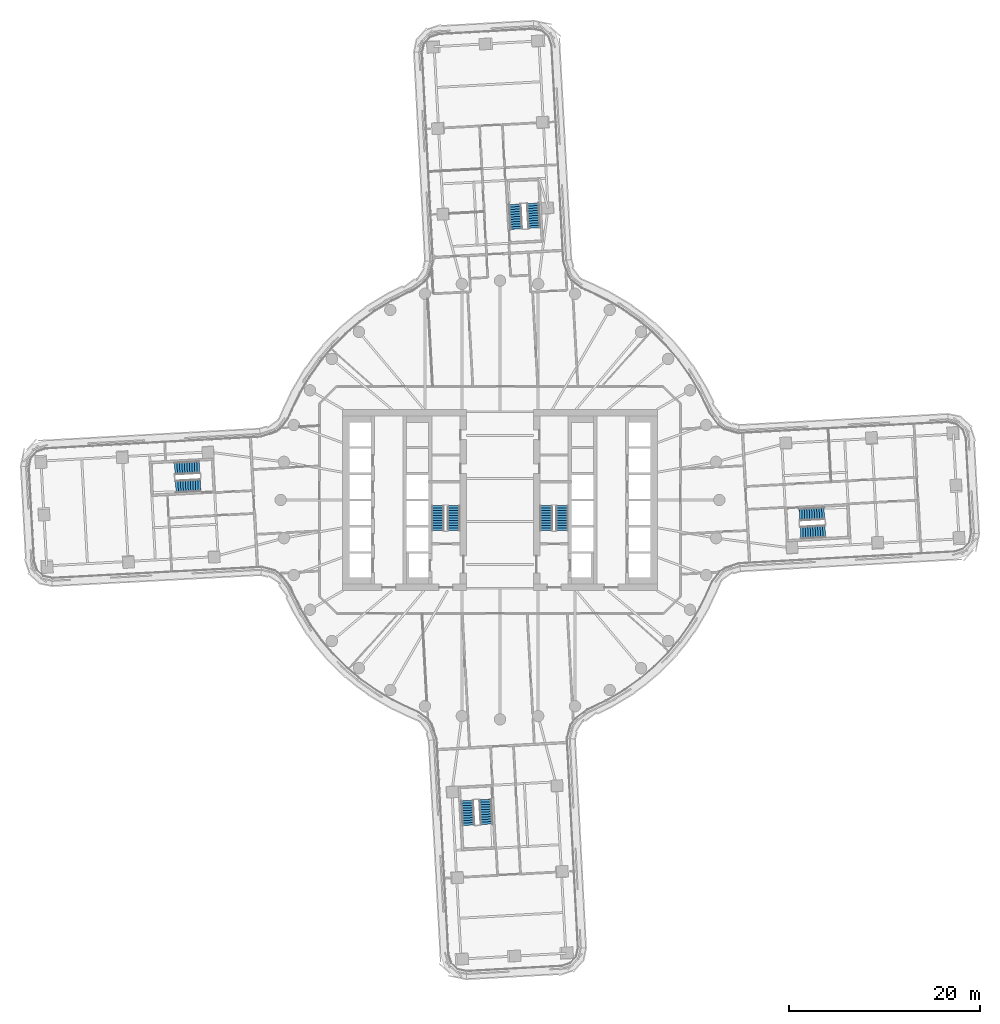
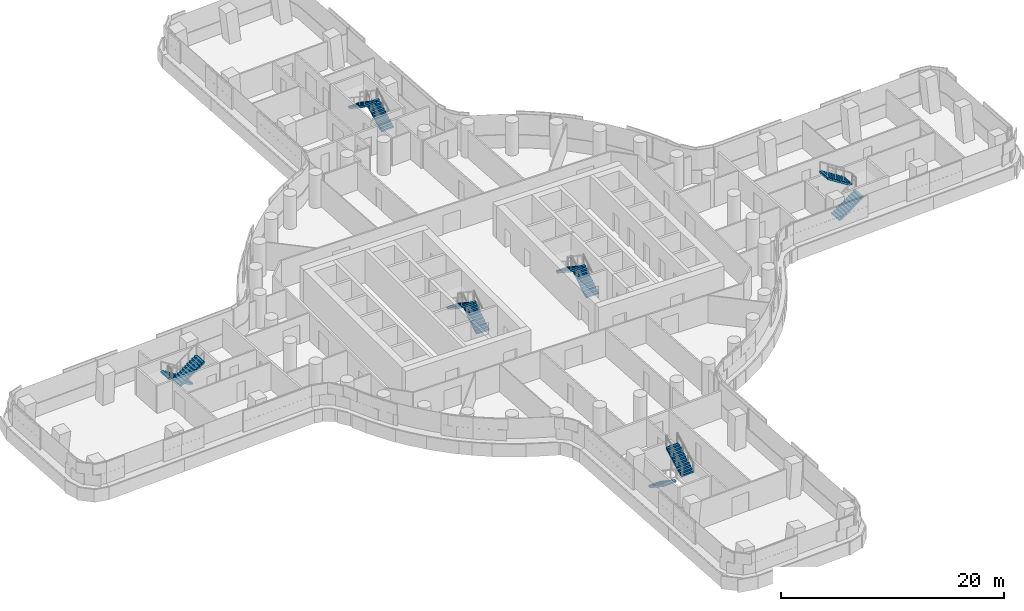
# One storey, part 24 of 31: 12 stair flights, 6 elements without a shape of their own.
"""IFC4 building model written with IfcOpenShell, lengths in metres."""

import ifcopenshell
import ifcopenshell.guid

model = None  # the IFC model being written
_history = None  # IfcOwnerHistory: only IFC2X3 demands one
_inside = {}  # id of a spatial element -> (the spatial element, [elements in it])
_under = {}  # id of a project, library or spatial element -> (it, [spatial elements below it])
_declared = {}  # id of a project -> (the project, [libraries it declares])
_typed = {}  # id of a type object -> (the type object, [elements of that type])
_made_of = {}  # id of a material, layer set ... -> (it, [elements and type objects made of it])


def new_model(schema):
    """Start an empty IFC model of exactly this schema.

    Asked for "IFC4X3", IfcOpenShell would pick the latest addendum, in which some entities
    have other attributes; the version numbers below select the first issue.
    IFC2X3 requires an IfcOwnerHistory on every rooted entity: one is made here for all.
    """
    global model, _history
    if schema == "IFC4X3":
        model = ifcopenshell.file(schema_version=(4, 3, 0, 0))
    else:
        model = ifcopenshell.file(schema=schema)
    _inside.clear()
    _under.clear()
    _declared.clear()
    _typed.clear()
    _made_of.clear()
    _history = None
    if model.schema == "IFC2X3":
        org = make("IfcOrganization", Name="unknown")
        user = make(
            "IfcPersonAndOrganization",
            ThePerson=make("IfcPerson", FamilyName="unknown"),
            TheOrganization=org,
        )
        app = make(
            "IfcApplication",
            ApplicationDeveloper=org,
            Version="unknown",
            ApplicationFullName="unknown",
            ApplicationIdentifier="unknown",
        )
        _history = make(
            "IfcOwnerHistory",
            OwningUser=user,
            OwningApplication=app,
            ChangeAction="ADDED",
            CreationDate=0,
        )
    return model


def make(cls, **values):
    """One entity of the class cls with the attributes given. An attribute that is None is left unset."""
    return model.create_entity(
        cls, **{name: value for name, value in values.items() if value is not None}
    )


def rooted(cls, **values):
    """An entity with a GlobalId (a new one), such as an element, a storey or a relation."""
    return make(cls, GlobalId=ifcopenshell.guid.new(), OwnerHistory=_history, **values)


def si_unit(unit_type, name, prefix=None):
    """IfcSIUnit, for example si_unit("LENGTHUNIT", "METRE", prefix="MILLI")."""
    return make("IfcSIUnit", UnitType=unit_type, Prefix=prefix, Name=name)


def assignment(units):
    """IfcUnitAssignment: the units of a project."""
    return None if units is None else make("IfcUnitAssignment", Units=units)


def point(xyz):
    """IfcCartesianPoint."""
    return None if xyz is None else make("IfcCartesianPoint", Coordinates=xyz)


def direction(xyz):
    """IfcDirection."""
    return None if xyz is None else make("IfcDirection", DirectionRatios=xyz)


def frame(location, z_axis=None, x_axis=None):
    """IfcAxis2Placement3D, a coordinate frame: its origin and axes. An axis left out is left unset."""
    return make(
        "IfcAxis2Placement3D",
        Location=point(location),
        Axis=direction(z_axis),
        RefDirection=direction(x_axis),
    )


def origin():
    """The frame at (0, 0, 0) with its axes left unset."""
    return frame((0.0, 0.0, 0.0))


def place(relative_to, where):
    """IfcLocalPlacement: puts the frame where relative to a parent placement (None: the world)."""
    return make(
        "IfcLocalPlacement", PlacementRelTo=relative_to, RelativePlacement=where
    )


def context(
    kind, dimensions, precision=None, world=None, true_north=None, identifier=None
):
    """IfcGeometricRepresentationContext, for example the 3D "Model" context."""
    return make(
        "IfcGeometricRepresentationContext",
        ContextIdentifier=identifier,
        ContextType=kind,
        CoordinateSpaceDimension=dimensions,
        Precision=precision,
        WorldCoordinateSystem=world,
        TrueNorth=true_north,
    )


def subcontext(parent, identifier, kind, view, scale=None):
    """IfcGeometricRepresentationSubContext, for example "Body" below "Model"."""
    return make(
        "IfcGeometricRepresentationSubContext",
        ContextIdentifier=identifier,
        ContextType=kind,
        ParentContext=parent,
        TargetScale=scale,
        TargetView=view,
    )


def project(units=None, contexts=None):
    """IfcProject with its units and contexts."""
    return rooted(
        "IfcProject",
        Name="project",
        RepresentationContexts=contexts,
        UnitsInContext=assignment(units),
    )


def spatial(cls, under=None, at=None, **own):
    """A site, building, storey or space (cls), placed at a placement, below another one or the project."""
    s = rooted(cls, ObjectPlacement=at, **own)
    if under is not None:
        _under.setdefault(under.id(), (under, []))[1].append(s)
    return s


def polyline(points):
    """IfcPolyline through the points."""
    return make("IfcPolyline", Points=[point(p) for p in points])


def outline(outer, holes=None, kind="AREA"):
    """IfcArbitraryClosedProfileDef: a profile drawn as a closed curve; with holes, ...WithVoids."""
    if holes is None:
        return make("IfcArbitraryClosedProfileDef", ProfileType=kind, OuterCurve=outer)
    return make(
        "IfcArbitraryProfileDefWithVoids",
        ProfileType=kind,
        OuterCurve=outer,
        InnerCurves=holes,
    )


def extrude(swept, where, along, depth):
    """IfcExtrudedAreaSolid: the profile swept, set in the frame where, extruded along a direction by depth."""
    return make(
        "IfcExtrudedAreaSolid",
        SweptArea=swept,
        Position=where,
        ExtrudedDirection=direction(along),
        Depth=depth,
    )


def shape(context_of_items, identifier, shape_type, items):
    """IfcShapeRepresentation: the items that make up one representation, for example the "Body"."""
    return make(
        "IfcShapeRepresentation",
        ContextOfItems=context_of_items,
        RepresentationIdentifier=identifier,
        RepresentationType=shape_type,
        Items=items,
    )


def material(Name=None, Category=None):
    """IfcMaterial."""
    return make("IfcMaterial", Name=Name, Category=Category)


def made_of(thing, what):
    """Note that an element or type object is made of a material, layer set ...; save() writes the relation."""
    if what is not None:
        _made_of.setdefault(what.id(), (what, []))[1].append(thing)
    return thing


def type_object(cls, material=None, **own):
    """A type object (cls), such as IfcWallType, which elements share."""
    return made_of(rooted(cls, **own), material)


def element(
    cls,
    number,
    at=None,
    inside=None,
    cuts=None,
    type_object=None,
    material=None,
    context=None,
    identifier="Body",
    shape_type=None,
    held_by="IfcProductDefinitionShape",
    body=None,
    shapes=None,
    **own,
):
    """One element of the class cls, such as IfcWall. Its Tag is "e" and its number.

    at: its placement. inside: the storey or other place that contains it. cuts: it is an
    opening in that element (IfcRelVoidsElement). A single representation is given by context,
    identifier, shape_type and body (its items); several are given by shapes. held_by: the class
    of the entity that holds the representations. save() writes the other relations.
    """
    e = rooted(cls, Tag="e%d" % number, ObjectPlacement=at, **own)
    if body is not None:
        shapes = [shape(context, identifier, shape_type, body)]
    if shapes is not None:
        e.Representation = make(held_by, Representations=shapes)
    if inside is not None:
        _inside.setdefault(inside.id(), (inside, []))[1].append(e)
    if cuts is not None:
        rooted(
            "IfcRelVoidsElement", RelatingBuildingElement=cuts, RelatedOpeningElement=e
        )
    if type_object is not None:
        _typed.setdefault(type_object.id(), (type_object, []))[1].append(e)
    return made_of(e, material)


def aggregate(whole, parts):
    """IfcRelAggregates: a whole, such as a stair, and the parts it consists of."""
    return rooted("IfcRelAggregates", RelatingObject=whole, RelatedObjects=parts)


def save(model, path):
    """Write the relations noted so far, then the file.

    IfcRelAggregates (storeys below a building ...), IfcRelContainedInSpatialStructure (elements
    in a storey), IfcRelDefinesByType, IfcRelAssociatesMaterial and IfcRelDeclares: one each for
    every whole, place, type object, material and project.
    """
    for whole, parts in _under.values():
        aggregate(whole, parts)
    for where, things in _inside.values():
        rooted(
            "IfcRelContainedInSpatialStructure",
            RelatedElements=things,
            RelatingStructure=where,
        )
    for kind, things in _typed.values():
        rooted("IfcRelDefinesByType", RelatedObjects=things, RelatingType=kind)
    for what, things in _made_of.values():
        rooted("IfcRelAssociatesMaterial", RelatedObjects=things, RelatingMaterial=what)
    for by, libraries in _declared.values():
        rooted("IfcRelDeclares", RelatingContext=by, RelatedDefinitions=libraries)
    model.write(path)


model = new_model("IFC4")

# Units and contexts
model_context = context("Model", 3, precision=1e-05, world=origin(), true_north=direction((0.0, 1.0)))
body_context = subcontext(model_context, "Body", "Model", "MODEL_VIEW")
ifc_project = project(units=[si_unit("LENGTHUNIT", "METRE"), si_unit("AREAUNIT", "SQUARE_METRE"), si_unit("VOLUMEUNIT", "CUBIC_METRE"), si_unit("PLANEANGLEUNIT", "RADIAN"), si_unit("MASSUNIT", "GRAM", prefix="KILO")], contexts=[model_context])

# Site, building, storey
site_placement = place(None, origin())
site = spatial("IfcSite", under=ifc_project, at=site_placement, CompositionType="ELEMENT")
building_placement = place(site_placement, origin())
building = spatial("IfcBuilding", under=site, at=building_placement, Name="Tamarind Cross Interchange Tower", CompositionType="ELEMENT")
storey_placement = place(building_placement, frame((0.0, 0.0, 45.25)))
storey = spatial("IfcBuildingStorey", under=building, at=storey_placement, Name="L09", CompositionType="ELEMENT", Elevation=45.25)

# Stair, stair flights
ifc_material_1 = material(Name="Exit stair")
stair_type = type_object("IfcStairType", Name="Exit stair", PredefinedType="HALF_TURN_STAIR", material=ifc_material_1)
stair_1_placement = place(storey_placement, origin())
stair_1 = element("IfcStair", 1, at=stair_1_placement, inside=storey, type_object=stair_type, Name="L09 exit stair ST1", PredefinedType="HALF_TURN_STAIR")
ifc_material_2 = material(Name="Exit stair flight")
stair_flight_type = type_object("IfcStairFlightType", Name="Exit stair flight", PredefinedType="STRAIGHT", material=ifc_material_2)
stair_flight_1_placement = place(storey_placement, frame((-4.85009765625, -3.199951171875, 0.0), z_axis=(0.0, 0.0, 1.0), x_axis=(0.0, 1.0, 0.0)))
stair_flight_1 = element("IfcStairFlight", 2, at=stair_flight_1_placement, type_object=stair_flight_type, Name="ST1 flight 1", NumberOfRisers=11, NumberOfTreads=10, PredefinedType="STRAIGHT", RiserHeight=0.170454545, TreadLength=0.26, context=body_context, shape_type="SweptSolid", body=[
    extrude(outline(polyline([(0.0, 0.0), (0.0, 0.17041015625), (0.260009765625, 0.17041015625), (0.260009765625, 0.3408203125), (0.52001953125, 0.3408203125), (0.52001953125, 0.511474609375), (0.780029296875, 0.511474609375), (0.780029296875, 0.681884765625), (1.0400390625, 0.681884765625), (1.0400390625, 0.852294921875), (1.300048828125, 0.852294921875), (1.300048828125, 1.022705078125), (1.56005859375, 1.022705078125), (1.56005859375, 1.193115234375), (1.820068359375, 1.193115234375), (1.820068359375, 1.363525390625), (2.080078125, 1.363525390625), (2.080078125, 1.5341796875), (2.340087890625, 1.5341796875), (2.340087890625, 1.70458984375), (2.60009765625, 1.70458984375), (2.60009765625, 1.875), (2.60009765625, 1.525390625), (0.2734375, 0.0), (0.0, 0.0)])), frame((0.0, 0.64990234375, 0.0), z_axis=(0.0, -1.0, 0.0), x_axis=(1.0, 0.0, 0.0)), (0.0, 0.0, 1.0), 1.300048828125),
])
stair_flight_2_placement = place(storey_placement, frame((-6.5, -0.60009765625, 1.875), z_axis=(0.0, 0.0, 1.0), x_axis=(0.0, -1.0, 0.0)))
stair_flight_2 = element("IfcStairFlight", 3, at=stair_flight_2_placement, type_object=stair_flight_type, Name="ST1 flight 2", NumberOfRisers=11, NumberOfTreads=10, PredefinedType="STRAIGHT", RiserHeight=0.170454545, TreadLength=0.26, context=body_context, shape_type="SweptSolid", body=[
    extrude(outline(polyline([(0.0, 0.0), (0.0, 0.17041015625), (0.260009765625, 0.17041015625), (0.260009765625, 0.3408203125), (0.52001953125, 0.3408203125), (0.52001953125, 0.511474609375), (0.780029296875, 0.511474609375), (0.780029296875, 0.681884765625), (1.0400390625, 0.681884765625), (1.0400390625, 0.852294921875), (1.300048828125, 0.852294921875), (1.300048828125, 1.022705078125), (1.56005859375, 1.022705078125), (1.56005859375, 1.193115234375), (1.820068359375, 1.193115234375), (1.820068359375, 1.363525390625), (2.080078125, 1.363525390625), (2.080078125, 1.5341796875), (2.340087890625, 1.5341796875), (2.340087890625, 1.70458984375), (2.60009765625, 1.70458984375), (2.60009765625, 1.7548828125), (2.612060546875, 1.7548828125), (2.612060546875, 1.533203125), (0.2734375, 0.0), (0.0, 0.0)])), frame((0.0, 0.64990234375, 0.0), z_axis=(0.0, -1.0, 0.0), x_axis=(1.0, 0.0, 0.0)), (0.0, 0.0, 1.0), 1.300048828125),
])
aggregate(stair_1, [stair_flight_1, stair_flight_2])

stair_2_placement = place(storey_placement, origin())
stair_2 = element("IfcStair", 4, at=stair_2_placement, inside=storey, type_object=stair_type, Name="L09 exit stair ST2", PredefinedType="HALF_TURN_STAIR")
stair_flight_3_placement = place(storey_placement, frame((6.5, -3.199951171875, 0.0), z_axis=(0.0, 0.0, 1.0), x_axis=(0.0, 1.0, 0.0)))
stair_flight_3 = element("IfcStairFlight", 5, at=stair_flight_3_placement, type_object=stair_flight_type, Name="ST2 flight 1", NumberOfRisers=11, NumberOfTreads=10, PredefinedType="STRAIGHT", RiserHeight=0.170454545, TreadLength=0.26, context=body_context, shape_type="SweptSolid", body=[
    extrude(outline(polyline([(0.0, 0.0), (0.0, 0.17041015625), (0.260009765625, 0.17041015625), (0.260009765625, 0.3408203125), (0.52001953125, 0.3408203125), (0.52001953125, 0.511474609375), (0.780029296875, 0.511474609375), (0.780029296875, 0.681884765625), (1.0400390625, 0.681884765625), (1.0400390625, 0.852294921875), (1.300048828125, 0.852294921875), (1.300048828125, 1.022705078125), (1.56005859375, 1.022705078125), (1.56005859375, 1.193115234375), (1.820068359375, 1.193115234375), (1.820068359375, 1.363525390625), (2.080078125, 1.363525390625), (2.080078125, 1.5341796875), (2.340087890625, 1.5341796875), (2.340087890625, 1.70458984375), (2.60009765625, 1.70458984375), (2.60009765625, 1.875), (2.60009765625, 1.525390625), (0.2734375, 0.0), (0.0, 0.0)])), frame((0.0, 0.64990234375, 0.0), z_axis=(0.0, -1.0, 0.0), x_axis=(1.0, 0.0, 0.0)), (0.0, 0.0, 1.0), 1.300048828125),
])
stair_flight_4_placement = place(storey_placement, frame((4.85009765625, -0.60009765625, 1.875), z_axis=(0.0, 0.0, 1.0), x_axis=(0.0, -1.0, 0.0)))
stair_flight_4 = element("IfcStairFlight", 6, at=stair_flight_4_placement, type_object=stair_flight_type, Name="ST2 flight 2", NumberOfRisers=11, NumberOfTreads=10, PredefinedType="STRAIGHT", RiserHeight=0.170454545, TreadLength=0.26, context=body_context, shape_type="SweptSolid", body=[
    extrude(outline(polyline([(0.0, 0.0), (0.0, 0.17041015625), (0.260009765625, 0.17041015625), (0.260009765625, 0.3408203125), (0.52001953125, 0.3408203125), (0.52001953125, 0.511474609375), (0.780029296875, 0.511474609375), (0.780029296875, 0.681884765625), (1.0400390625, 0.681884765625), (1.0400390625, 0.852294921875), (1.300048828125, 0.852294921875), (1.300048828125, 1.022705078125), (1.56005859375, 1.022705078125), (1.56005859375, 1.193115234375), (1.820068359375, 1.193115234375), (1.820068359375, 1.363525390625), (2.080078125, 1.363525390625), (2.080078125, 1.5341796875), (2.340087890625, 1.5341796875), (2.340087890625, 1.70458984375), (2.60009765625, 1.70458984375), (2.60009765625, 1.7548828125), (2.612060546875, 1.7548828125), (2.612060546875, 1.533203125), (0.2734375, 0.0), (0.0, 0.0)])), frame((0.0, 0.64990234375, 0.0), z_axis=(0.0, -1.0, 0.0), x_axis=(1.0, 0.0, 0.0)), (0.0, 0.0, 1.0), 1.300048828125),
])
aggregate(stair_2, [stair_flight_3, stair_flight_4])

stair_3_placement = place(storey_placement, origin())
stair_3 = element("IfcStair", 7, at=stair_3_placement, inside=storey, type_object=stair_type, Name="L09 exit stair ST3", PredefinedType="HALF_TURN_STAIR")
stair_flight_5_placement = place(storey_placement, frame((31.501953125, -3.435546875, 0.0), z_axis=(0.0, 0.0, 1.0), x_axis=(0.998504021801, 0.054678317891, 0.0)))
stair_flight_5 = element("IfcStairFlight", 8, at=stair_flight_5_placement, type_object=stair_flight_type, Name="ST3 flight 1", NumberOfRisers=11, NumberOfTreads=10, PredefinedType="STRAIGHT", RiserHeight=0.170454545, TreadLength=0.26, context=body_context, shape_type="SweptSolid", body=[
    extrude(outline(polyline([(0.0, 0.0), (0.0, 0.17041015625), (0.260009765625, 0.17041015625), (0.260009765625, 0.3408203125), (0.52001953125, 0.3408203125), (0.52001953125, 0.511474609375), (0.780029296875, 0.511474609375), (0.780029296875, 0.681884765625), (1.0400390625, 0.681884765625), (1.0400390625, 0.852294921875), (1.300048828125, 0.852294921875), (1.300048828125, 1.022705078125), (1.56005859375, 1.022705078125), (1.56005859375, 1.193115234375), (1.820068359375, 1.193115234375), (1.820068359375, 1.363525390625), (2.080078125, 1.363525390625), (2.080078125, 1.5341796875), (2.340087890625, 1.5341796875), (2.340087890625, 1.70458984375), (2.60009765625, 1.70458984375), (2.60009765625, 1.875), (2.60009765625, 1.525390625), (0.2734375, 0.0), (0.0, 0.0)])), frame((0.0, 0.64990234375, 0.0), z_axis=(0.0, -1.0, 0.0), x_axis=(1.0, 0.0, 0.0)), (0.0, 0.0, 1.0), 1.300048828125),
])
stair_flight_6_placement = place(storey_placement, frame((33.994384765625, -1.396240234375, 1.875), z_axis=(0.0, 0.0, 1.0), x_axis=(-0.998504021801, -0.054678317891, 0.0)))
stair_flight_6 = element("IfcStairFlight", 9, at=stair_flight_6_placement, type_object=stair_flight_type, Name="ST3 flight 2", NumberOfRisers=11, NumberOfTreads=10, PredefinedType="STRAIGHT", RiserHeight=0.170454545, TreadLength=0.26, context=body_context, shape_type="SweptSolid", body=[
    extrude(outline(polyline([(0.0, 0.0), (0.0, 0.17041015625), (0.260009765625, 0.17041015625), (0.260009765625, 0.3408203125), (0.52001953125, 0.3408203125), (0.52001953125, 0.511474609375), (0.780029296875, 0.511474609375), (0.780029296875, 0.681884765625), (1.0400390625, 0.681884765625), (1.0400390625, 0.852294921875), (1.300048828125, 0.852294921875), (1.300048828125, 1.022705078125), (1.56005859375, 1.022705078125), (1.56005859375, 1.193115234375), (1.820068359375, 1.193115234375), (1.820068359375, 1.363525390625), (2.080078125, 1.363525390625), (2.080078125, 1.5341796875), (2.340087890625, 1.5341796875), (2.340087890625, 1.70458984375), (2.60009765625, 1.70458984375), (2.60009765625, 1.7548828125), (2.612060546875, 1.7548828125), (2.612060546875, 1.533203125), (0.2734375, 0.0), (0.0, 0.0)])), frame((0.0, 0.64990234375, 0.0), z_axis=(0.0, -1.0, 0.0), x_axis=(1.0, 0.0, 0.0)), (0.0, 0.0, 1.0), 1.300048828125),
])
aggregate(stair_3, [stair_flight_5, stair_flight_6])

stair_4_placement = place(storey_placement, origin())
stair_4 = element("IfcStair", 10, at=stair_4_placement, inside=storey, type_object=stair_type, Name="L09 exit stair ST4", PredefinedType="HALF_TURN_STAIR")
stair_flight_7_placement = place(storey_placement, frame((3.599609375, 28.506591796875, 0.0), z_axis=(0.0, 0.0, 1.0), x_axis=(-0.054678317891, 0.998504021801, 0.0)))
stair_flight_7 = element("IfcStairFlight", 11, at=stair_flight_7_placement, type_object=stair_flight_type, Name="ST4 flight 1", NumberOfRisers=11, NumberOfTreads=10, PredefinedType="STRAIGHT", RiserHeight=0.170454545, TreadLength=0.26, context=body_context, shape_type="SweptSolid", body=[
    extrude(outline(polyline([(0.0, 0.0), (0.0, 0.17041015625), (0.260009765625, 0.17041015625), (0.260009765625, 0.3408203125), (0.52001953125, 0.3408203125), (0.52001953125, 0.511474609375), (0.780029296875, 0.511474609375), (0.780029296875, 0.681884765625), (1.0400390625, 0.681884765625), (1.0400390625, 0.852294921875), (1.300048828125, 0.852294921875), (1.300048828125, 1.022705078125), (1.56005859375, 1.022705078125), (1.56005859375, 1.193115234375), (1.820068359375, 1.193115234375), (1.820068359375, 1.363525390625), (2.080078125, 1.363525390625), (2.080078125, 1.5341796875), (2.340087890625, 1.5341796875), (2.340087890625, 1.70458984375), (2.60009765625, 1.70458984375), (2.60009765625, 1.875), (2.60009765625, 1.525390625), (0.2734375, 0.0), (0.0, 0.0)])), frame((0.0, 0.64990234375, 0.0), z_axis=(0.0, -1.0, 0.0), x_axis=(1.0, 0.0, 0.0)), (0.0, 0.0, 1.0), 1.300048828125),
])
stair_flight_8_placement = place(storey_placement, frame((1.560302734375, 30.998779296875, 1.875), z_axis=(0.0, 0.0, 1.0), x_axis=(0.054678317891, -0.998504021801, 0.0)))
stair_flight_8 = element("IfcStairFlight", 12, at=stair_flight_8_placement, type_object=stair_flight_type, Name="ST4 flight 2", NumberOfRisers=11, NumberOfTreads=10, PredefinedType="STRAIGHT", RiserHeight=0.170454545, TreadLength=0.26, context=body_context, shape_type="SweptSolid", body=[
    extrude(outline(polyline([(0.0, 0.0), (0.0, 0.17041015625), (0.260009765625, 0.17041015625), (0.260009765625, 0.3408203125), (0.52001953125, 0.3408203125), (0.52001953125, 0.511474609375), (0.780029296875, 0.511474609375), (0.780029296875, 0.681884765625), (1.0400390625, 0.681884765625), (1.0400390625, 0.852294921875), (1.300048828125, 0.852294921875), (1.300048828125, 1.022705078125), (1.56005859375, 1.022705078125), (1.56005859375, 1.193115234375), (1.820068359375, 1.193115234375), (1.820068359375, 1.363525390625), (2.080078125, 1.363525390625), (2.080078125, 1.5341796875), (2.340087890625, 1.5341796875), (2.340087890625, 1.70458984375), (2.60009765625, 1.70458984375), (2.60009765625, 1.7548828125), (2.612060546875, 1.7548828125), (2.612060546875, 1.533203125), (0.2734375, 0.0), (0.0, 0.0)])), frame((0.0, 0.64990234375, 0.0), z_axis=(0.0, -1.0, 0.0), x_axis=(1.0, 0.0, 0.0)), (0.0, 0.0, 1.0), 1.300048828125),
])
aggregate(stair_4, [stair_flight_7, stair_flight_8])

stair_5_placement = place(storey_placement, origin())
stair_5 = element("IfcStair", 13, at=stair_5_placement, inside=storey, type_object=stair_type, Name="L09 exit stair ST5", PredefinedType="HALF_TURN_STAIR")
stair_flight_9_placement = place(storey_placement, frame((-31.501953125, 3.435546875, 0.0), z_axis=(0.0, 0.0, 1.0), x_axis=(-0.998504021801, -0.054678317891, 0.0)))
stair_flight_9 = element("IfcStairFlight", 14, at=stair_flight_9_placement, type_object=stair_flight_type, Name="ST5 flight 1", NumberOfRisers=11, NumberOfTreads=10, PredefinedType="STRAIGHT", RiserHeight=0.170454545, TreadLength=0.26, context=body_context, shape_type="SweptSolid", body=[
    extrude(outline(polyline([(0.0, 0.0), (0.0, 0.17041015625), (0.260009765625, 0.17041015625), (0.260009765625, 0.3408203125), (0.52001953125, 0.3408203125), (0.52001953125, 0.511474609375), (0.780029296875, 0.511474609375), (0.780029296875, 0.681884765625), (1.0400390625, 0.681884765625), (1.0400390625, 0.852294921875), (1.300048828125, 0.852294921875), (1.300048828125, 1.022705078125), (1.56005859375, 1.022705078125), (1.56005859375, 1.193115234375), (1.820068359375, 1.193115234375), (1.820068359375, 1.363525390625), (2.080078125, 1.363525390625), (2.080078125, 1.5341796875), (2.340087890625, 1.5341796875), (2.340087890625, 1.70458984375), (2.60009765625, 1.70458984375), (2.60009765625, 1.875), (2.60009765625, 1.525390625), (0.2734375, 0.0), (0.0, 0.0)])), frame((0.0, 0.64990234375, 0.0), z_axis=(0.0, -1.0, 0.0), x_axis=(1.0, 0.0, 0.0)), (0.0, 0.0, 1.0), 1.300048828125),
])
stair_flight_10_placement = place(storey_placement, frame((-33.994384765625, 1.396240234375, 1.875), z_axis=(0.0, 0.0, 1.0), x_axis=(0.998504021801, 0.054678317891, 0.0)))
stair_flight_10 = element("IfcStairFlight", 15, at=stair_flight_10_placement, type_object=stair_flight_type, Name="ST5 flight 2", NumberOfRisers=11, NumberOfTreads=10, PredefinedType="STRAIGHT", RiserHeight=0.170454545, TreadLength=0.26, context=body_context, shape_type="SweptSolid", body=[
    extrude(outline(polyline([(0.0, 0.0), (0.0, 0.17041015625), (0.260009765625, 0.17041015625), (0.260009765625, 0.3408203125), (0.52001953125, 0.3408203125), (0.52001953125, 0.511474609375), (0.780029296875, 0.511474609375), (0.780029296875, 0.681884765625), (1.0400390625, 0.681884765625), (1.0400390625, 0.852294921875), (1.300048828125, 0.852294921875), (1.300048828125, 1.022705078125), (1.56005859375, 1.022705078125), (1.56005859375, 1.193115234375), (1.820068359375, 1.193115234375), (1.820068359375, 1.363525390625), (2.080078125, 1.363525390625), (2.080078125, 1.5341796875), (2.340087890625, 1.5341796875), (2.340087890625, 1.70458984375), (2.60009765625, 1.70458984375), (2.60009765625, 1.7548828125), (2.612060546875, 1.7548828125), (2.612060546875, 1.533203125), (0.2734375, 0.0), (0.0, 0.0)])), frame((0.0, 0.64990234375, 0.0), z_axis=(0.0, -1.0, 0.0), x_axis=(1.0, 0.0, 0.0)), (0.0, 0.0, 1.0), 1.300048828125),
])
aggregate(stair_5, [stair_flight_9, stair_flight_10])

stair_6_placement = place(storey_placement, origin())
stair_6 = element("IfcStair", 16, at=stair_6_placement, inside=storey, type_object=stair_type, Name="L09 exit stair ST6", PredefinedType="HALF_TURN_STAIR")
stair_flight_11_placement = place(storey_placement, frame((-3.435546875, -31.501953125, 0.0), z_axis=(0.0, 0.0, 1.0), x_axis=(0.054678317891, -0.998504021801, 0.0)))
stair_flight_11 = element("IfcStairFlight", 17, at=stair_flight_11_placement, type_object=stair_flight_type, Name="ST6 flight 1", NumberOfRisers=11, NumberOfTreads=10, PredefinedType="STRAIGHT", RiserHeight=0.170454545, TreadLength=0.26, context=body_context, shape_type="SweptSolid", body=[
    extrude(outline(polyline([(0.0, 0.0), (0.0, 0.17041015625), (0.260009765625, 0.17041015625), (0.260009765625, 0.3408203125), (0.52001953125, 0.3408203125), (0.52001953125, 0.511474609375), (0.780029296875, 0.511474609375), (0.780029296875, 0.681884765625), (1.0400390625, 0.681884765625), (1.0400390625, 0.852294921875), (1.300048828125, 0.852294921875), (1.300048828125, 1.022705078125), (1.56005859375, 1.022705078125), (1.56005859375, 1.193115234375), (1.820068359375, 1.193115234375), (1.820068359375, 1.363525390625), (2.080078125, 1.363525390625), (2.080078125, 1.5341796875), (2.340087890625, 1.5341796875), (2.340087890625, 1.70458984375), (2.60009765625, 1.70458984375), (2.60009765625, 1.875), (2.60009765625, 1.525390625), (0.2734375, 0.0), (0.0, 0.0)])), frame((0.0, 0.64990234375, 0.0), z_axis=(0.0, -1.0, 0.0), x_axis=(1.0, 0.0, 0.0)), (0.0, 0.0, 1.0), 1.300048828125),
])
stair_flight_12_placement = place(storey_placement, frame((-1.396240234375, -33.994384765625, 1.875), z_axis=(0.0, 0.0, 1.0), x_axis=(-0.054678317891, 0.998504021801, 0.0)))
stair_flight_12 = element("IfcStairFlight", 18, at=stair_flight_12_placement, type_object=stair_flight_type, Name="ST6 flight 2", NumberOfRisers=11, NumberOfTreads=10, PredefinedType="STRAIGHT", RiserHeight=0.170454545, TreadLength=0.26, context=body_context, shape_type="SweptSolid", body=[
    extrude(outline(polyline([(0.0, 0.0), (0.0, 0.17041015625), (0.260009765625, 0.17041015625), (0.260009765625, 0.3408203125), (0.52001953125, 0.3408203125), (0.52001953125, 0.511474609375), (0.780029296875, 0.511474609375), (0.780029296875, 0.681884765625), (1.0400390625, 0.681884765625), (1.0400390625, 0.852294921875), (1.300048828125, 0.852294921875), (1.300048828125, 1.022705078125), (1.56005859375, 1.022705078125), (1.56005859375, 1.193115234375), (1.820068359375, 1.193115234375), (1.820068359375, 1.363525390625), (2.080078125, 1.363525390625), (2.080078125, 1.5341796875), (2.340087890625, 1.5341796875), (2.340087890625, 1.70458984375), (2.60009765625, 1.70458984375), (2.60009765625, 1.7548828125), (2.612060546875, 1.7548828125), (2.612060546875, 1.533203125), (0.2734375, 0.0), (0.0, 0.0)])), frame((0.0, 0.64990234375, 0.0), z_axis=(0.0, -1.0, 0.0), x_axis=(1.0, 0.0, 0.0)), (0.0, 0.0, 1.0), 1.300048828125),
])
aggregate(stair_6, [stair_flight_11, stair_flight_12])

save(model, "model.ifc")
